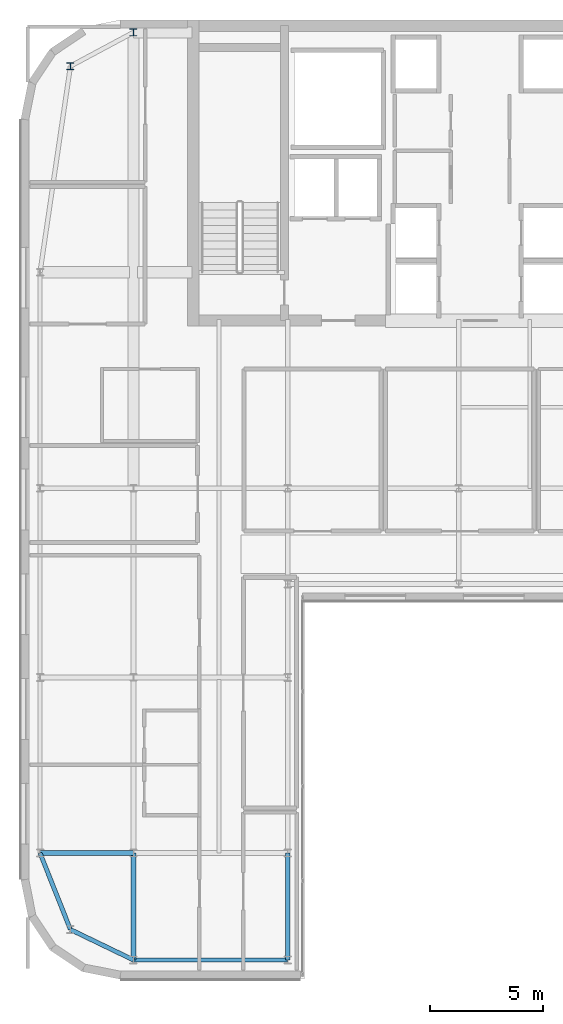
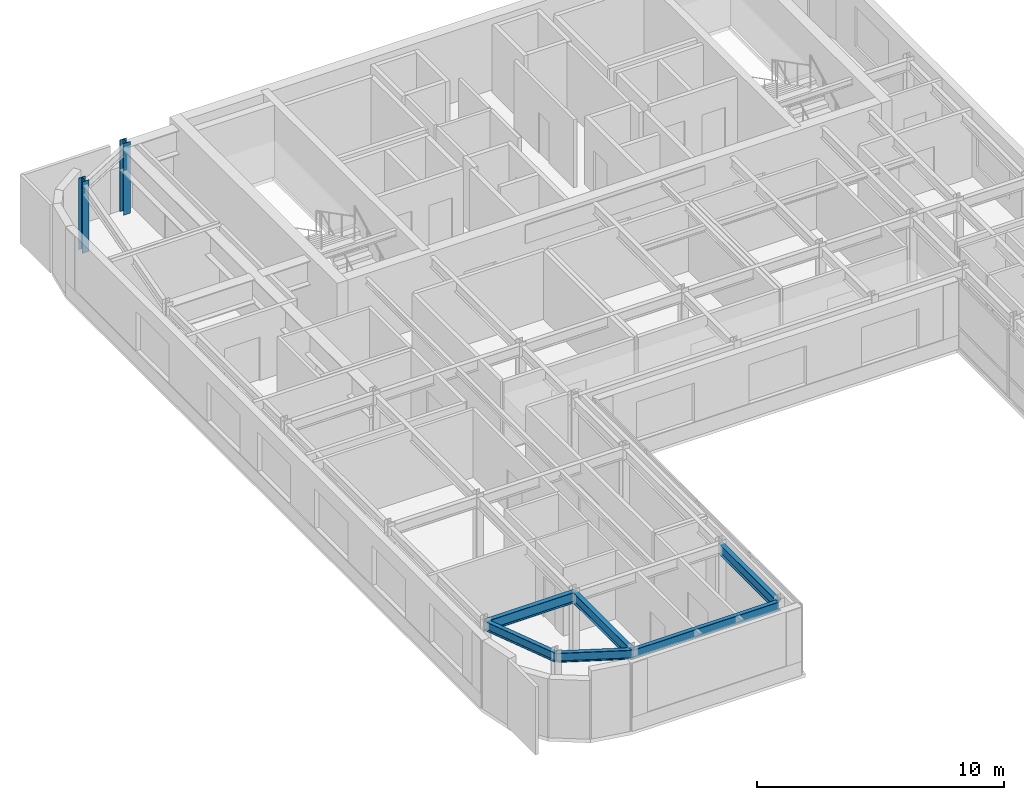
# One storey, part 3 of 21: 6 beams, 2 columns.
"""IFC4 building model written with IfcOpenShell, lengths in metres."""

from ifc_helpers import new_model, si_unit, direction, frame, origin, origin_2d, place, context, subcontext, project, spatial, i_section, extrude, source, transform, mapped, material, material_profile, profile_set, type_object, type_shapes, element, save


model = new_model("IFC4")

# Units and contexts
model_context = context("Model", 3, precision=1e-05, world=origin(), true_north=direction((0.0, 1.0)))
body_context = subcontext(model_context, "Body", "Model", "MODEL_VIEW")
ifc_project = project(units=[si_unit("LENGTHUNIT", "METRE"), si_unit("AREAUNIT", "SQUARE_METRE"), si_unit("VOLUMEUNIT", "CUBIC_METRE"), si_unit("PLANEANGLEUNIT", "RADIAN"), si_unit("MASSUNIT", "GRAM", prefix="KILO")], contexts=[model_context])

# Site, building, storey
site_placement = place(None, origin())
site = spatial("IfcSite", under=ifc_project, at=site_placement, CompositionType="ELEMENT")
building_placement = place(site_placement, origin())
building = spatial("IfcBuilding", under=site, at=building_placement, Name="Tolvann Quenvar Hotel", CompositionType="ELEMENT")
storey_placement = place(building_placement, frame((0.0, 0.0, 255.85009765625)))
storey = spatial("IfcBuildingStorey", under=building, at=storey_placement, Name="L68", CompositionType="ELEMENT", Elevation=255.85009765625)

# Columns
ifc_material = material(Name="Steel Grade 350", Category="steel")
ifc_material_profile_1 = material_profile(ifc_material, i_section(OverallWidth=0.30908203125, OverallDepth=0.321044921875, WebThickness=0.013916015625, FlangeThickness=0.021728515625, FilletRadius=0.0166015625, at=origin_2d()), Name="310UC137")
ifc_profile_set_1 = profile_set([ifc_material_profile_1], Name="Steel Grade 350")
column_type = type_object("IfcColumnType", Name="COL_310UC137", PredefinedType="COLUMN", material=ifc_profile_set_1)
shared_shape_1 = source(origin(), body_context, "Body", "SweptSolid", [
    extrude(i_section(OverallWidth=0.30908203125, OverallDepth=0.321044921875, WebThickness=0.013916015625, FlangeThickness=0.021728515625, FilletRadius=0.0166015625, at=origin_2d()), origin(), (0.0, 0.0, 1.0), 3.5498046875),
])
type_shapes(column_type, [shared_shape_1])
for number, where, z_axis, x_axis, name in (
    (1, (4.800048828125, 43.14990234375, 0.0), (0.0, 0.0, 1.0), (1.0, 0.0, 0.0), "Column BN (L68)"),
    (2, (7.60009765625, 44.64990234375, 0.0), (0.0, 0.0, 1.0), (1.0, 0.0, 0.0), "Column CN (L68)"),
):
    element("IfcColumn", number, at=place(storey_placement, frame(where, z_axis=z_axis, x_axis=x_axis)), inside=storey, type_object=column_type, Name=name, PredefinedType="COLUMN", context=body_context, shape_type="MappedRepresentation", body=[
        mapped(shared_shape_1, transform((0.0, 0.0, 0.0), x_axis=(1.0, 0.0, 0.0), y_axis=(0.0, 1.0, 0.0), z_axis=(0.0, 0.0, 1.0), scale=1.0)),
    ])

# Beams
ifc_material_profile_2 = material_profile(ifc_material, i_section(OverallWidth=0.208984375, OverallDepth=0.532958984375, WebThickness=0.01025390625, FlangeThickness=0.015625, FilletRadius=0.013916015625, at=origin_2d()), Name="530UB92")
ifc_profile_set_2 = profile_set([ifc_material_profile_2], Name="Steel Grade 350")
beam_type_1 = type_object("IfcBeamType", Name="BM_GIRD_530UB92", PredefinedType="BEAM", material=ifc_profile_set_2)
shared_shape_2 = source(origin(), body_context, "Body", "SweptSolid", [
    extrude(i_section(OverallWidth=0.208984375, OverallDepth=0.532958984375, WebThickness=0.01025390625, FlangeThickness=0.015625, FilletRadius=0.013916015625, at=origin_2d()), origin(), (0.0, 0.0, 1.0), 4.75),
])
for number, where, z_axis, x_axis, name in (
    (3, (7.60009765625, 3.449951171875, 3.103515625), (0.0, 1.0, 0.0), (-1.0, 0.0, 0.0), "BM-L68-NS-C2-C3"),
    (4, (14.449951171875, 3.449951171875, 3.103515625), (0.0, 1.0, 0.0), (-1.0, 0.0, 0.0), "BM-L68-NS-D2-D3"),
):
    element("IfcBeam", number, at=place(storey_placement, frame(where, z_axis=z_axis, x_axis=x_axis)), inside=storey, type_object=beam_type_1, Name=name, PredefinedType="BEAM", context=body_context, shape_type="MappedRepresentation", body=[
        mapped(shared_shape_2, transform((0.0, 0.0, 0.0), x_axis=(1.0, 0.0, 0.0), y_axis=(0.0, 1.0, 0.0), z_axis=(0.0, 0.0, 1.0), scale=1.0)),
    ])
ifc_material_profile_3 = material_profile(ifc_material, i_section(OverallWidth=0.19091796875, OverallDepth=0.4599609375, WebThickness=0.010009765625, FlangeThickness=0.01611328125, FilletRadius=0.011474609375, at=origin_2d()), Name="460UB82")
ifc_profile_set_3 = profile_set([ifc_material_profile_3], Name="Steel Grade 350")
beam_type_2 = type_object("IfcBeamType", Name="BM_SPAND_460UB82", PredefinedType="SPANDREL", material=ifc_profile_set_3)
shared_shape_3 = source(origin(), body_context, "Body", "SweptSolid", [
    extrude(i_section(OverallWidth=0.19091796875, OverallDepth=0.4599609375, WebThickness=0.010009765625, FlangeThickness=0.01611328125, FilletRadius=0.011474609375, at=origin_2d()), origin(), (0.0, 0.0, 1.0), 3.108642578125),
])
beam_1_placement = place(storey_placement, frame((4.800048828125, 4.800048828125, 3.139892578125), z_axis=(0.900759354066, -0.434318530646, 0.0), x_axis=(0.434318530646, 0.900759354066, 0.0)))
element("IfcBeam", 5, at=beam_1_placement, inside=storey, type_object=beam_type_2, Name="BM-L68-EW-2-B2-C2", PredefinedType="SPANDREL", context=body_context, shape_type="MappedRepresentation", body=[
    mapped(shared_shape_3, transform((0.0, 0.0, 0.0), x_axis=(1.0, 0.0, 0.0), y_axis=(0.0, 1.0, 0.0), z_axis=(0.0, 0.0, 1.0), scale=1.0)),
])
shared_shape_4 = source(origin(), body_context, "Body", "SweptSolid", [
    extrude(i_section(OverallWidth=0.19091796875, OverallDepth=0.4599609375, WebThickness=0.010009765625, FlangeThickness=0.01611328125, FilletRadius=0.011474609375, at=origin_2d()), origin(), (0.0, 0.0, 1.0), 3.658203125),
])
beam_2_placement = place(storey_placement, frame((4.800048828125, 4.800048828125, 3.139892578125), z_axis=(-0.369065163807, 0.929403521009, 0.0), x_axis=(-0.929403521009, -0.369065163807, 0.0)))
element("IfcBeam", 6, at=beam_2_placement, inside=storey, type_object=beam_type_2, Name="BM-L68-NS-B2-B3", PredefinedType="SPANDREL", context=body_context, shape_type="MappedRepresentation", body=[
    mapped(shared_shape_4, transform((0.0, 0.0, 0.0), x_axis=(1.0, 0.0, 0.0), y_axis=(0.0, 1.0, 0.0), z_axis=(0.0, 0.0, 1.0), scale=1.0)),
])
shared_shape_5 = source(origin(), body_context, "Body", "SweptSolid", [
    extrude(i_section(OverallWidth=0.19091796875, OverallDepth=0.4599609375, WebThickness=0.010009765625, FlangeThickness=0.01611328125, FilletRadius=0.011474609375, at=origin_2d()), origin(), (0.0, 0.0, 1.0), 6.849853515625),
])
type_shapes(beam_type_2, [shared_shape_3, shared_shape_4, shared_shape_5])
beam_3_placement = place(storey_placement, frame((7.60009765625, 3.449951171875, 3.139892578125), z_axis=(1.0, 0.0, 0.0), x_axis=(0.0, 1.0, 0.0)))
element("IfcBeam", 7, at=beam_3_placement, inside=storey, type_object=beam_type_2, Name="BM-L68-EW-2-C2-D2", PredefinedType="SPANDREL", context=body_context, shape_type="MappedRepresentation", body=[
    mapped(shared_shape_5, transform((0.0, 0.0, 0.0), x_axis=(1.0, 0.0, 0.0), y_axis=(0.0, 1.0, 0.0), z_axis=(0.0, 0.0, 1.0), scale=1.0)),
])
shared_shape_6 = source(origin(), body_context, "Body", "SweptSolid", [
    extrude(i_section(OverallWidth=0.208984375, OverallDepth=0.532958984375, WebThickness=0.01025390625, FlangeThickness=0.015625, FilletRadius=0.013916015625, at=origin_2d()), origin(), (0.0, 0.0, 1.0), 4.150146484375),
])
type_shapes(beam_type_1, [shared_shape_2, shared_shape_6])
beam_4_placement = place(storey_placement, frame((3.449951171875, 8.199951171875, 3.103515625), z_axis=(1.0, 0.0, 0.0), x_axis=(0.0, 1.0, 0.0)))
element("IfcBeam", 8, at=beam_4_placement, inside=storey, type_object=beam_type_1, Name="BM-L68-EW-3-B3-C3", PredefinedType="BEAM", context=body_context, shape_type="MappedRepresentation", body=[
    mapped(shared_shape_6, transform((0.0, 0.0, 0.0), x_axis=(1.0, 0.0, 0.0), y_axis=(0.0, 1.0, 0.0), z_axis=(0.0, 0.0, 1.0), scale=1.0)),
])

save(model, "model.ifc")
